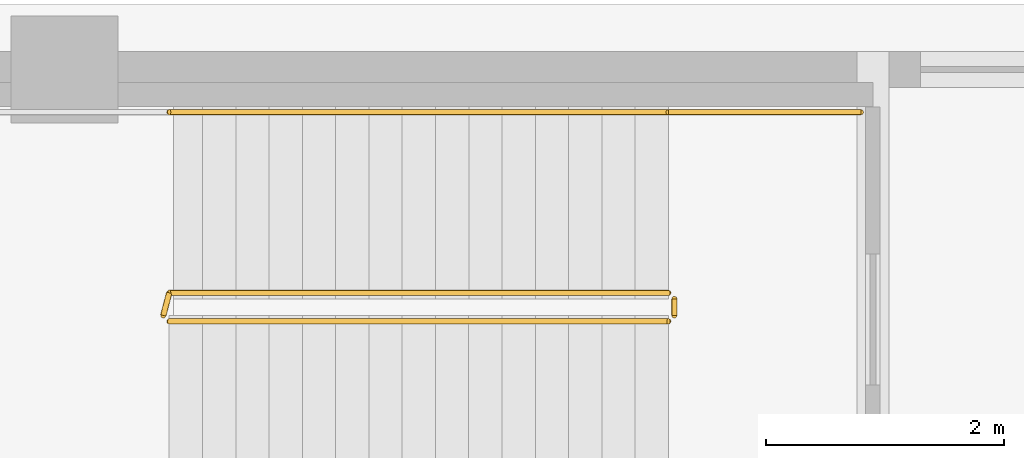
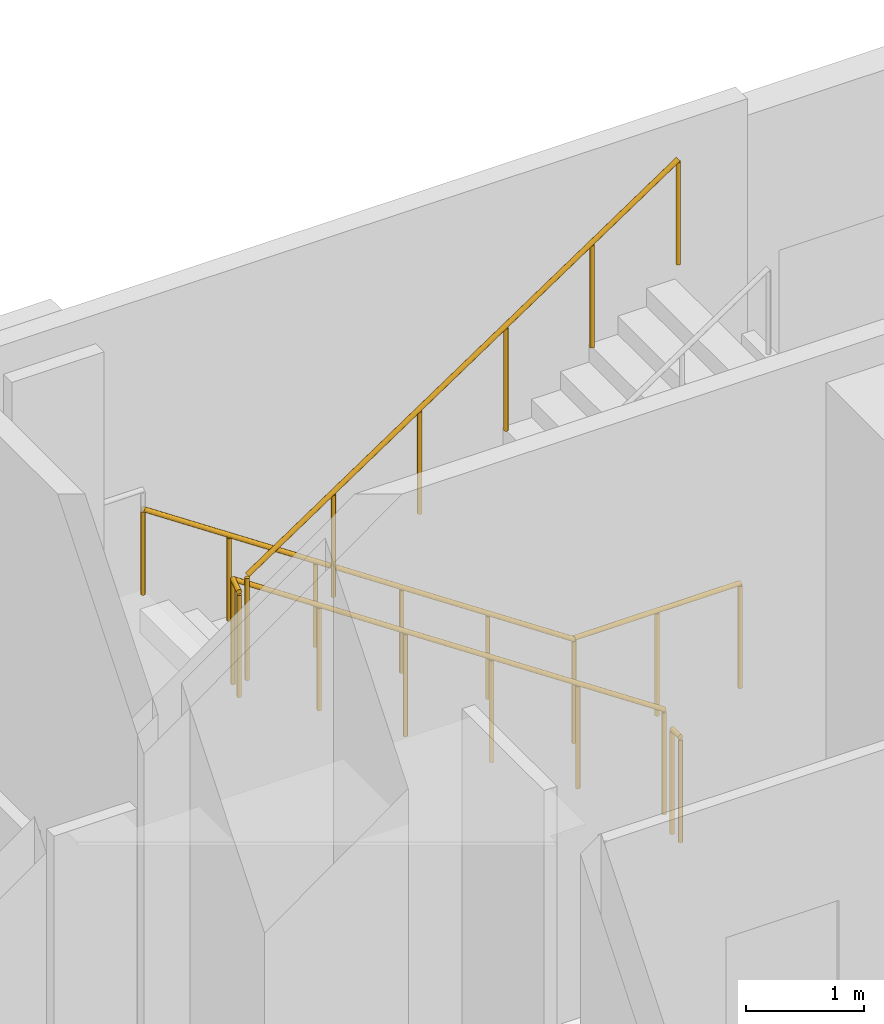
# One storey, part 35 of 36: 5 railings.
"""IFC4 building model written with IfcOpenShell, lengths in metres."""

from ifc_helpers import new_model, si_unit, direction, frame, origin, origin_2d, place, context, subcontext, project, spatial, circle, extrude, material, layer, layer_set, type_object, element, save


model = new_model("IFC4")

# Units and contexts
model_context = context("Model", 3, precision=1e-05, world=origin(), true_north=direction((0.0, 1.0)))
body_context = subcontext(model_context, "Body", "Model", "MODEL_VIEW")
ifc_project = project(units=[si_unit("LENGTHUNIT", "METRE"), si_unit("AREAUNIT", "SQUARE_METRE"), si_unit("VOLUMEUNIT", "CUBIC_METRE"), si_unit("PLANEANGLEUNIT", "RADIAN"), si_unit("MASSUNIT", "GRAM", prefix="KILO")], contexts=[model_context])

# Site, building, storey
site_placement = place(None, origin())
site = spatial("IfcSite", under=ifc_project, at=site_placement, CompositionType="ELEMENT")
building_placement = place(site_placement, origin())
building = spatial("IfcBuilding", under=site, at=building_placement, Name="Ndaravel Arena Tower", CompositionType="ELEMENT")
storey_placement = place(building_placement, origin())
storey = spatial("IfcBuildingStorey", under=building, at=storey_placement, Name="L00", CompositionType="ELEMENT", Elevation=0.0)

# Railings
ifc_material_1 = material(Name="Steel S355", Category="steel")
ifc_layer_1 = layer(ifc_material_1, 0.06005859375)
ifc_layer_set_1 = layer_set([ifc_layer_1], Name="Steel S355")
railing_type_1 = type_object("IfcRailingType", Name="RAIL-STAIR-GD1100", PredefinedType="GUARDRAIL", material=ifc_layer_set_1)
railing_1_placement = place(storey_placement, frame((69.080078125, 45.570068359375, 0.1875)))
element("IfcRailing", 1, at=railing_1_placement, inside=storey, type_object=railing_type_1, Name="L00 ST-A11 stair guard 1", PredefinedType="GUARDRAIL", context=body_context, shape_type="SweptSolid", body=[
    extrude(circle(Radius=0.02392578125, at=origin_2d()), frame((0.0, 0.0, 1.076171875), z_axis=(-0.830919138977, 0.0, 0.55639319234), x_axis=(0.0, -1.0, 0.0)), (0.0, 0.0, 1.0), 5.054931640625),
    extrude(circle(Radius=0.02392578125, at=origin_2d()), frame((-4.2001953125, 0.0, 3.888671875), z_axis=(-0.253331722487, -0.967379469692, 0.0), x_axis=(0.967379469692, -0.253331722487, 0.0)), (0.0, 0.0, 1.0), 0.196533203125),
    extrude(circle(Radius=0.02099609375, at=origin_2d()), origin(), (0.0, 0.0, 1.0), 1.052001953125),
    extrude(circle(Radius=0.02099609375, at=origin_2d()), frame((-0.840087890625, 0.0, 0.5625)), (0.0, 0.0, 1.0), 1.052001953125),
    extrude(circle(Radius=0.02099609375, at=origin_2d()), frame((-1.68017578125, 0.0, 1.125)), (0.0, 0.0, 1.0), 1.052001953125),
    extrude(circle(Radius=0.02099609375, at=origin_2d()), frame((-2.52001953125, 0.0, 1.6875)), (0.0, 0.0, 1.0), 1.052001953125),
    extrude(circle(Radius=0.02099609375, at=origin_2d()), frame((-3.360107421875, 0.0, 2.25)), (0.0, 0.0, 1.0), 1.052001953125),
    extrude(circle(Radius=0.02099609375, at=origin_2d()), frame((-4.2001953125, 0.0, 2.8125)), (0.0, 0.0, 1.0), 1.052001953125),
    extrude(circle(Radius=0.02099609375, at=origin_2d()), frame((-4.25, -0.190185546875, 2.8125)), (0.0, 0.0, 1.0), 1.052001953125),
])
railing_2_placement = place(storey_placement, frame((64.8798828125, 45.330078125, 3.1875)))
element("IfcRailing", 2, at=railing_2_placement, inside=storey, type_object=railing_type_1, Name="L00 ST-A11 stair guard 3", PredefinedType="GUARDRAIL", context=body_context, shape_type="SweptSolid", body=[
    extrude(circle(Radius=0.02392578125, at=origin_2d()), frame((0.0, 0.0, 1.076171875), z_axis=(0.830919138977, 0.0, 0.55639319234), x_axis=(0.0, 1.0, 0.0)), (0.0, 0.0, 1.0), 5.054931640625),
    extrude(circle(Radius=0.02099609375, at=origin_2d()), origin(), (0.0, 0.0, 1.0), 1.052001953125),
    extrude(circle(Radius=0.02099609375, at=origin_2d()), frame((0.840087890625, 0.0, 0.5625)), (0.0, 0.0, 1.0), 1.052001953125),
    extrude(circle(Radius=0.02099609375, at=origin_2d()), frame((1.68017578125, 0.0, 1.125)), (0.0, 0.0, 1.0), 1.052001953125),
    extrude(circle(Radius=0.02099609375, at=origin_2d()), frame((2.52001953125, 0.0, 1.6875)), (0.0, 0.0, 1.0), 1.052001953125),
    extrude(circle(Radius=0.02099609375, at=origin_2d()), frame((3.360107421875, 0.0, 2.25)), (0.0, 0.0, 1.0), 1.052001953125),
    extrude(circle(Radius=0.02099609375, at=origin_2d()), frame((4.2001953125, 0.0, 2.8125)), (0.0, 0.0, 1.0), 1.052001953125),
])
railing_3_placement = place(storey_placement, frame((69.1298828125, 45.52001953125, 0.0)))
element("IfcRailing", 3, at=railing_3_placement, inside=storey, type_object=railing_type_1, Name="L00 ST-A11 stair guard 4", PredefinedType="GUARDRAIL", context=body_context, shape_type="SweptSolid", body=[
    extrude(circle(Radius=0.02392578125, at=origin_2d()), frame((0.0, 0.0, 1.076171875), z_axis=(0.0, -1.0, 0.0), x_axis=(1.0, 0.0, 0.0)), (0.0, 0.0, 1.0), 0.14013671875),
    extrude(circle(Radius=0.02099609375, at=origin_2d()), origin(), (0.0, 0.0, 1.0), 1.052001953125),
    extrude(circle(Radius=0.02099609375, at=origin_2d()), frame((0.0, -0.14013671875, 0.0)), (0.0, 0.0, 1.0), 1.052001953125),
])
railing_4_placement = place(storey_placement, frame((70.699951171875, 47.090087890625, 0.0)))
element("IfcRailing", 4, at=railing_4_placement, inside=storey, type_object=railing_type_1, Name="L00 ST-A11 stair guard 5", PredefinedType="GUARDRAIL", context=body_context, shape_type="SweptSolid", body=[
    extrude(circle(Radius=0.02392578125, at=origin_2d()), frame((0.0, 0.0, 1.076171875), z_axis=(-1.0, 0.0, 0.0), x_axis=(0.0, -1.0, 0.0)), (0.0, 0.0, 1.0), 1.619873046875),
    extrude(circle(Radius=0.02099609375, at=origin_2d()), origin(), (0.0, 0.0, 1.0), 1.052001953125),
    extrude(circle(Radius=0.02099609375, at=origin_2d()), frame((-0.81005859375, 0.0, 0.0)), (0.0, 0.0, 1.0), 1.052001953125),
    extrude(circle(Radius=0.02099609375, at=origin_2d()), frame((-1.619873046875, 0.0, 0.0)), (0.0, 0.0, 1.0), 1.052001953125),
])
ifc_material_2 = material(Name="Steel S355", Category="steel")
ifc_layer_2 = layer(ifc_material_2, 0.050048828125)
ifc_layer_set_2 = layer_set([ifc_layer_2], Name="Steel S355")
railing_type_2 = type_object("IfcRailingType", Name="RAIL-STAIR-HR920", PredefinedType="HANDRAIL", material=ifc_layer_set_2)
railing_5_placement = place(storey_placement, frame((69.080078125, 47.090087890625, 0.1875)))
element("IfcRailing", 5, at=railing_5_placement, inside=storey, type_object=railing_type_2, Name="L00 ST-A11 stair handrail 1", PredefinedType="HANDRAIL", context=body_context, shape_type="SweptSolid", body=[
    extrude(circle(Radius=0.02392578125, at=origin_2d()), frame((0.0, 0.0, 0.8759765625), z_axis=(-0.830919138977, 0.0, 0.55639319234), x_axis=(0.0, -1.0, 0.0)), (0.0, 0.0, 1.0), 5.054931640625),
    extrude(circle(Radius=0.02099609375, at=origin_2d()), origin(), (0.0, 0.0, 1.0), 0.851806640625),
    extrude(circle(Radius=0.02099609375, at=origin_2d()), frame((-0.840087890625, 0.0, 0.5625)), (0.0, 0.0, 1.0), 0.851806640625),
    extrude(circle(Radius=0.02099609375, at=origin_2d()), frame((-1.68017578125, 0.0, 1.125)), (0.0, 0.0, 1.0), 0.851806640625),
    extrude(circle(Radius=0.02099609375, at=origin_2d()), frame((-2.52001953125, 0.0, 1.6875)), (0.0, 0.0, 1.0), 0.851806640625),
    extrude(circle(Radius=0.02099609375, at=origin_2d()), frame((-3.360107421875, 0.0, 2.25)), (0.0, 0.0, 1.0), 0.851806640625),
    extrude(circle(Radius=0.02099609375, at=origin_2d()), frame((-4.2001953125, 0.0, 2.8125)), (0.0, 0.0, 1.0), 0.851806640625),
])

save(model, "model.ifc")
